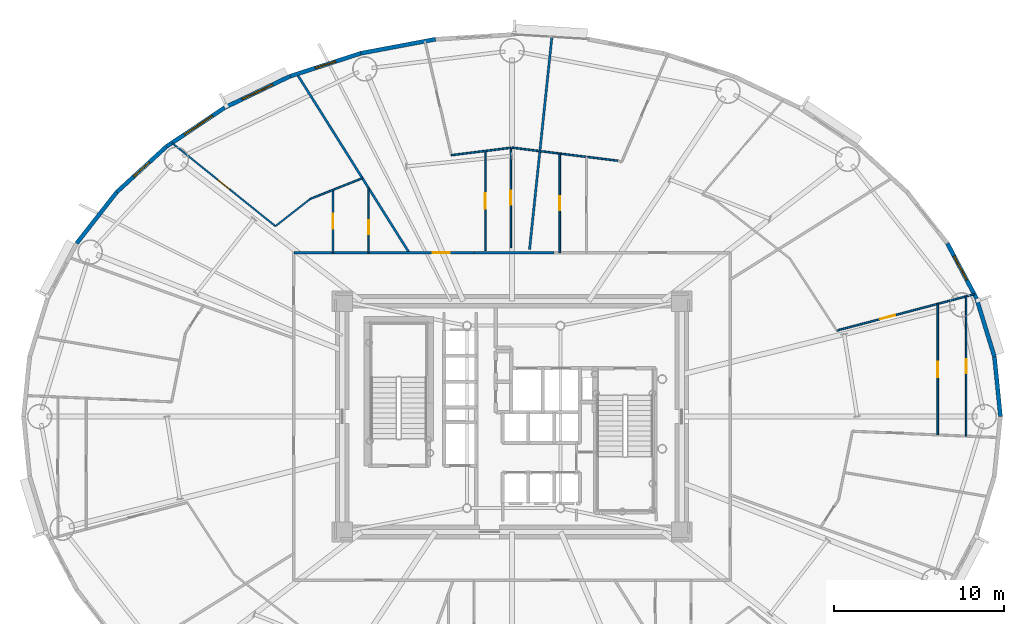
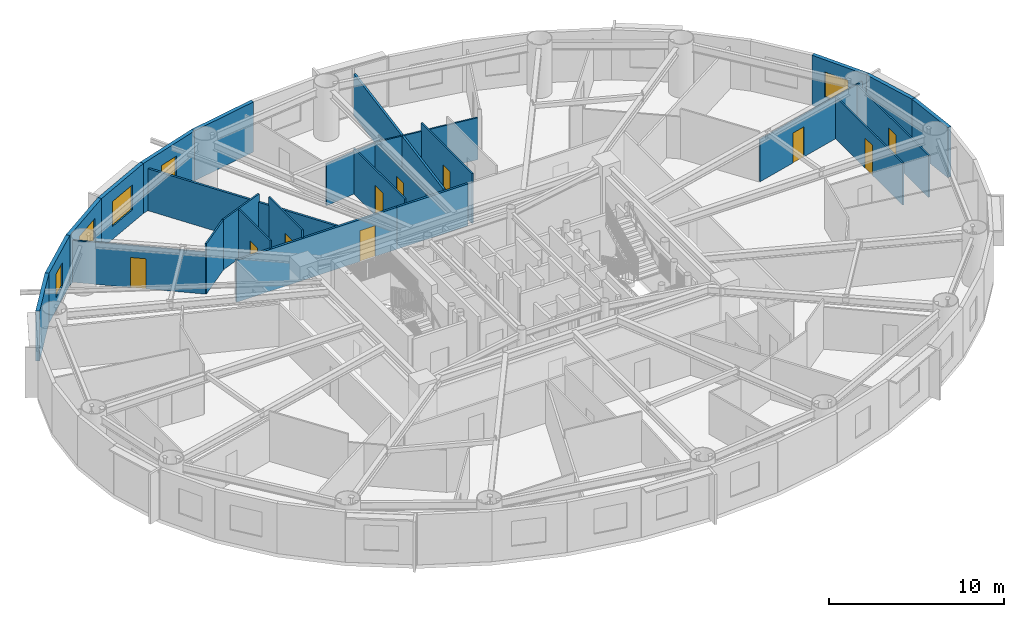
# One storey, part 14 of 21: 26 walls, 10 doors, 5 windows, 15 openings.
"""IFC4 building model written with IfcOpenShell, lengths in metres."""

from ifc_helpers import new_model, si_unit, direction, frame, frame_2d, origin, origin_2d, place, context, subcontext, project, spatial, rectangle, extrude, source, transform, mapped, material, layer, layer_set, type_object, element, fill, save


model = new_model("IFC4")

# Units and contexts
model_context = context("Model", 3, precision=1e-05, world=origin(), true_north=direction((0.0, 1.0)))
body_context = subcontext(model_context, "Body", "Model", "MODEL_VIEW")
ifc_project = project(units=[si_unit("LENGTHUNIT", "METRE"), si_unit("AREAUNIT", "SQUARE_METRE"), si_unit("VOLUMEUNIT", "CUBIC_METRE"), si_unit("PLANEANGLEUNIT", "RADIAN"), si_unit("MASSUNIT", "GRAM", prefix="KILO")], contexts=[model_context])

# Site, building, storey
site_placement = place(None, origin())
site = spatial("IfcSite", under=ifc_project, at=site_placement, CompositionType="ELEMENT")
building_placement = place(site_placement, origin())
building = spatial("IfcBuilding", under=site, at=building_placement, Name="Linh Dai School and Residence Tower", CompositionType="ELEMENT")
storey_placement = place(building_placement, frame((0.0, 0.0, 115.949951171875)))
storey = spatial("IfcBuildingStorey", under=building, at=storey_placement, Name="L27", CompositionType="ELEMENT", Elevation=115.949951171875)

# Walls
ifc_material_1 = material(Name="Precast Concrete B45 (C35/45)", Category="concrete")
ifc_layer_1 = layer(ifc_material_1, 0.239990234375)
ifc_layer_set_1 = layer_set([ifc_layer_1], Name="Precast Concrete B45 (C35/45)")
wall_type_1 = type_object("IfcWallType", Name="EW-TC-240", PredefinedType="SOLIDWALL", material=ifc_layer_set_1)
wall_1_placement = place(storey_placement, frame((64.421630859375, 30.515380859375, 0.0), z_axis=(0.0, 0.0, 1.0), x_axis=(0.099989468229, -0.994988495533, 0.0)))
element("IfcWall", 1, at=wall_1_placement, inside=storey, type_object=wall_type_1, Name="L27 Terracotta Exterior Wall 01", PredefinedType="SOLIDWALL", context=body_context, shape_type="SweptSolid", body=[
    extrude(rectangle(XDim=3.533203125, YDim=0.239990234375, at=frame_2d((1.7666015625, 0.0))), origin(), (0.0, 0.0, 1.0), 3.5),
])
wall_2_placement = place(storey_placement, frame((63.3701171875, 33.945068359375, 0.0), z_axis=(0.0, 0.0, 1.0), x_axis=(0.293124431344, -0.956074300329, 0.0)))
element("IfcWall", 2, at=wall_2_placement, inside=storey, type_object=wall_type_1, Name="L27 Terracotta Exterior Wall 02", PredefinedType="SOLIDWALL", context=body_context, shape_type="SweptSolid", body=[
    extrude(rectangle(XDim=3.587158203125, YDim=0.239990234375, at=frame_2d((1.79345703125, 0.0))), origin(), (0.0, 0.0, 1.0), 3.5),
])

# Wall, opening, window
wall_3_placement = place(storey_placement, frame((61.645263671875, 37.20556640625, 0.0), z_axis=(0.0, 0.0, 1.0), x_axis=(0.467614004126, -0.883932770716, 0.0)))
wall_3 = element("IfcWall", 3, at=wall_3_placement, inside=storey, type_object=wall_type_1, Name="L27 Terracotta Exterior Wall 03", PredefinedType="SOLIDWALL", context=body_context, shape_type="SweptSolid", body=[
    extrude(rectangle(XDim=3.688720703125, YDim=0.239990234375, at=frame_2d((1.84423828125, 0.0))), origin(), (0.0, 0.0, 1.0), 3.5),
])
opening_1_placement = place(wall_3_placement, frame((0.845947265625, 0.0, 0.89990234375)))
opening_1 = element("IfcOpeningElement", 4, at=opening_1_placement, cuts=wall_3, Name="Opening W2", PredefinedType="OPENING", context=body_context, shape_type="SweptSolid", body=[
    extrude(rectangle(XDim=1.60009765625, YDim=1.75, at=origin_2d()), frame((0.800048828125, 0.1298828125, 0.875), z_axis=(0.0, -1.0, 0.0), x_axis=(1.0, 0.0, 0.0)), (0.0, 0.0, 1.0), 0.260009765625),
])
ifc_material_2 = material(Name="Double Low-E Insulated Glazing", Category="glass")
window_type_1 = type_object("IfcWindowType", Name="WN-RES-1600x1750", PartitioningType="DOUBLE_PANEL_VERTICAL", PredefinedType="WINDOW", material=ifc_material_2)
shared_shape_1 = source(origin(), body_context, "Body", "SweptSolid", [
    extrude(rectangle(XDim=1.60009765625, YDim=1.75, at=origin_2d()), frame((0.800048828125, 0.030029296875, 0.875), z_axis=(0.0, -1.0, 0.0), x_axis=(1.0, 0.0, 0.0)), (0.0, 0.0, 1.0), 0.06005859375),
])
window_1_placement = place(opening_1_placement, origin())
window_1 = element("IfcWindow", 5, at=window_1_placement, inside=storey, type_object=window_type_1, Name="L27 Exterior Window 03.1", OverallHeight=1.75, OverallWidth=1.60009765625, PartitioningType="DOUBLE_PANEL_VERTICAL", PredefinedType="WINDOW", context=body_context, shape_type="MappedRepresentation", body=[
    mapped(shared_shape_1, transform((0.0, 0.0, 0.0), x_axis=(1.0, 0.0, 0.0), y_axis=(0.0, 1.0, 0.0), z_axis=(0.0, 0.0, 1.0), scale=1.0)),
])
fill(opening_1, window_1)

# Wall
wall_4_placement = place(storey_placement, frame((27.100341796875, 48.4013671875, 0.0), z_axis=(0.0, 0.0, 1.0), x_axis=(0.982789252177, 0.184730305596, 0.0)))
element("IfcWall", 6, at=wall_4_placement, inside=storey, type_object=wall_type_1, Name="L27 Terracotta Exterior Wall 12", PredefinedType="SOLIDWALL", context=body_context, shape_type="SweptSolid", body=[
    extrude(rectangle(XDim=4.470947265625, YDim=0.239990234375, at=frame_2d((2.2353515625, 0.0))), origin(), (0.0, 0.0, 1.0), 3.5),
])

# Wall, opening, window
wall_5_placement = place(storey_placement, frame((22.926025390625, 47.04736328125, 0.0), z_axis=(0.0, 0.0, 1.0), x_axis=(0.951211346073, 0.308540070495, 0.0)))
wall_5 = element("IfcWall", 7, at=wall_5_placement, inside=storey, type_object=wall_type_1, Name="L27 Terracotta Exterior Wall 13", PredefinedType="SOLIDWALL", context=body_context, shape_type="SweptSolid", body=[
    extrude(rectangle(XDim=4.388427734375, YDim=0.239990234375, at=frame_2d((2.1943359375, 0.0))), origin(), (0.0, 0.0, 1.0), 3.5),
])
opening_2_placement = place(wall_5_placement, frame((1.569091796875, 0.0, 0.89990234375)))
opening_2 = element("IfcOpeningElement", 8, at=opening_2_placement, cuts=wall_5, Name="Opening W3", PredefinedType="OPENING", context=body_context, shape_type="SweptSolid", body=[
    extrude(rectangle(XDim=1.25, YDim=1.64990234375, at=origin_2d()), frame((0.625, 0.1298828125, 0.824951171875), z_axis=(0.0, -1.0, 0.0), x_axis=(1.0, 0.0, 0.0)), (0.0, 0.0, 1.0), 0.260009765625),
])
window_type_2 = type_object("IfcWindowType", Name="WN-RES-1250x1650", PartitioningType="SINGLE_PANEL", PredefinedType="WINDOW", material=ifc_material_2)
shared_shape_2 = source(origin(), body_context, "Body", "SweptSolid", [
    extrude(rectangle(XDim=1.25, YDim=1.64990234375, at=origin_2d()), frame((0.625, 0.030029296875, 0.824951171875), z_axis=(0.0, -1.0, 0.0), x_axis=(1.0, 0.0, 0.0)), (0.0, 0.0, 1.0), 0.06005859375),
])
window_2_placement = place(opening_2_placement, origin())
window_2 = element("IfcWindow", 9, at=window_2_placement, inside=storey, type_object=window_type_2, Name="L27 Dwelling Window U2701-LIV", OverallHeight=1.64990234375, OverallWidth=1.25, PartitioningType="SINGLE_PANEL", PredefinedType="WINDOW", context=body_context, shape_type="MappedRepresentation", body=[
    mapped(shared_shape_2, transform((0.0, 0.0, 0.0), x_axis=(1.0, 0.0, 0.0), y_axis=(0.0, 1.0, 0.0), z_axis=(0.0, 0.0, 1.0), scale=1.0)),
])
fill(opening_2, window_2)

wall_6_placement = place(storey_placement, frame((19.07470703125, 45.199462890625, 0.0), z_axis=(0.0, 0.0, 1.0), x_axis=(0.901589935876, 0.432591709962, 0.0)))
wall_6 = element("IfcWall", 10, at=wall_6_placement, inside=storey, type_object=wall_type_1, Name="L27 Terracotta Exterior Wall 14", PredefinedType="SOLIDWALL", context=body_context, shape_type="SweptSolid", body=[
    extrude(rectangle(XDim=4.271728515625, YDim=0.239990234375, at=frame_2d((2.1357421875, 0.0))), origin(), (0.0, 0.0, 1.0), 3.5),
])
opening_3_placement = place(wall_6_placement, frame((1.135986328125, 0.0, 0.89990234375)))
opening_3 = element("IfcOpeningElement", 11, at=opening_3_placement, cuts=wall_6, Name="Opening W1", PredefinedType="OPENING", context=body_context, shape_type="SweptSolid", body=[
    extrude(rectangle(XDim=2.0, YDim=1.75, at=origin_2d()), frame((1.0, 0.1298828125, 0.875), z_axis=(0.0, -1.0, 0.0), x_axis=(1.0, 0.0, 0.0)), (0.0, 0.0, 1.0), 0.260009765625),
])
window_type_3 = type_object("IfcWindowType", Name="WN-RES-2000x1750", PartitioningType="DOUBLE_PANEL_VERTICAL", PredefinedType="WINDOW", material=ifc_material_2)
shared_shape_3 = source(origin(), body_context, "Body", "SweptSolid", [
    extrude(rectangle(XDim=2.0, YDim=1.75, at=origin_2d()), frame((1.0, 0.030029296875, 0.875), z_axis=(0.0, -1.0, 0.0), x_axis=(1.0, 0.0, 0.0)), (0.0, 0.0, 1.0), 0.06005859375),
])
window_3_placement = place(opening_3_placement, origin())
window_3 = element("IfcWindow", 12, at=window_3_placement, inside=storey, type_object=window_type_3, Name="L27 Exterior Window 14.1", OverallHeight=1.75, OverallWidth=2.0, PartitioningType="DOUBLE_PANEL_VERTICAL", PredefinedType="WINDOW", context=body_context, shape_type="MappedRepresentation", body=[
    mapped(shared_shape_3, transform((0.0, 0.0, 0.0), x_axis=(1.0, 0.0, 0.0), y_axis=(0.0, 1.0, 0.0), z_axis=(0.0, 0.0, 1.0), scale=1.0)),
])
fill(opening_3, window_3)

wall_7_placement = place(storey_placement, frame((15.6416015625, 42.9033203125, 0.0), z_axis=(0.0, 0.0, 1.0), x_axis=(0.831221811447, 0.555940914284, 0.0)))
wall_7 = element("IfcWall", 13, at=wall_7_placement, inside=storey, type_object=wall_type_1, Name="L27 Terracotta Exterior Wall 15", PredefinedType="SOLIDWALL", context=body_context, shape_type="SweptSolid", body=[
    extrude(rectangle(XDim=4.130126953125, YDim=0.239990234375, at=frame_2d((2.06494140625, 0.0))), origin(), (0.0, 0.0, 1.0), 3.5),
])
opening_4_placement = place(wall_7_placement, frame((1.275634765625, 0.0, 0.89990234375)))
opening_4 = element("IfcOpeningElement", 14, at=opening_4_placement, cuts=wall_7, Name="Opening W1", PredefinedType="OPENING", context=body_context, shape_type="SweptSolid", body=[
    extrude(rectangle(XDim=2.0, YDim=1.75, at=origin_2d()), frame((1.0, 0.1298828125, 0.875), z_axis=(0.0, -1.0, 0.0), x_axis=(1.0, 0.0, 0.0)), (0.0, 0.0, 1.0), 0.260009765625),
])
window_4_placement = place(opening_4_placement, origin())
window_4 = element("IfcWindow", 15, at=window_4_placement, inside=storey, type_object=window_type_3, Name="L27 Exterior Window 15.1", OverallHeight=1.75, OverallWidth=2.0, PartitioningType="DOUBLE_PANEL_VERTICAL", PredefinedType="WINDOW", context=body_context, shape_type="MappedRepresentation", body=[
    mapped(shared_shape_3, transform((0.0, 0.0, 0.0), x_axis=(1.0, 0.0, 0.0), y_axis=(0.0, 1.0, 0.0), z_axis=(0.0, 0.0, 1.0), scale=1.0)),
])
fill(opening_4, window_4)

wall_8_placement = place(storey_placement, frame((12.7109375, 40.216552734375, 0.0), z_axis=(0.0, 0.0, 1.0), x_axis=(0.737113356241, 0.675769117414, 0.0)))
wall_8 = element("IfcWall", 16, at=wall_8_placement, inside=storey, type_object=wall_type_1, Name="L27 Terracotta Exterior Wall 16", PredefinedType="SOLIDWALL", context=body_context, shape_type="SweptSolid", body=[
    extrude(rectangle(XDim=3.975830078125, YDim=0.239990234375, at=frame_2d((1.98779296875, 0.0))), origin(), (0.0, 0.0, 1.0), 3.5),
])
opening_5_placement = place(wall_8_placement, frame((1.363037109375, 0.0, 0.89990234375)))
opening_5 = element("IfcOpeningElement", 17, at=opening_5_placement, cuts=wall_8, Name="Opening W3", PredefinedType="OPENING", context=body_context, shape_type="SweptSolid", body=[
    extrude(rectangle(XDim=1.25, YDim=1.64990234375, at=origin_2d()), frame((0.625, 0.1298828125, 0.824951171875), z_axis=(0.0, -1.0, 0.0), x_axis=(1.0, 0.0, 0.0)), (0.0, 0.0, 1.0), 0.260009765625),
])
window_5_placement = place(opening_5_placement, origin())
window_5 = element("IfcWindow", 18, at=window_5_placement, inside=storey, type_object=window_type_2, Name="L27 Dwelling Window U2702-LIV", OverallHeight=1.64990234375, OverallWidth=1.25, PartitioningType="SINGLE_PANEL", PredefinedType="WINDOW", context=body_context, shape_type="MappedRepresentation", body=[
    mapped(shared_shape_2, transform((0.0, 0.0, 0.0), x_axis=(1.0, 0.0, 0.0), y_axis=(0.0, 1.0, 0.0), z_axis=(0.0, 0.0, 1.0), scale=1.0)),
])
fill(opening_5, window_5)

# Wall
wall_9_placement = place(storey_placement, frame((10.354736328125, 37.20556640625, 0.0), z_axis=(0.0, 0.0, 1.0), x_axis=(0.616272103517, 0.787533297345, 0.0)))
element("IfcWall", 19, at=wall_9_placement, inside=storey, type_object=wall_type_1, Name="L27 Terracotta Exterior Wall 17", PredefinedType="SOLIDWALL", context=body_context, shape_type="SweptSolid", body=[
    extrude(rectangle(XDim=3.8232421875, YDim=0.239990234375, at=frame_2d((1.91162109375, 0.0))), origin(), (0.0, 0.0, 1.0), 3.5),
])

# Wall, opening, door
ifc_material_3 = material(Name="Autoclaved Aerated Concrete Blockwork", Category="masonry")
ifc_layer_2 = layer(ifc_material_3, 0.135009765625)
ifc_layer_set_2 = layer_set([ifc_layer_2], Name="Autoclaved Aerated Concrete Blockwork")
wall_type_2 = type_object("IfcWallType", Name="IW-CORR-135-EI90", PredefinedType="PARTITIONING", material=ifc_layer_set_2)
wall_10_placement = place(storey_placement, frame((23.14990234375, 36.64990234375, 0.0), z_axis=(0.0, 0.0, 1.0), x_axis=(1.0, 0.0, 0.0)))
wall_10 = element("IfcWall", 20, at=wall_10_placement, inside=storey, type_object=wall_type_2, Name="L27 Interior Partition Wall 019", PredefinedType="PARTITIONING", context=body_context, shape_type="SweptSolid", body=[
    extrude(rectangle(XDim=10.61181640625, YDim=0.135009765625, at=frame_2d((5.305908203125, 0.0))), origin(), (0.0, 0.0, 1.0), 2.93505859375),
])
opening_6_placement = place(wall_10_placement, frame((8.18212890625, 0.0, 0.0)))
opening_6 = element("IfcOpeningElement", 21, at=opening_6_placement, cuts=wall_10, Name="Opening D03", PredefinedType="OPENING", context=body_context, shape_type="SweptSolid", body=[
    extrude(rectangle(XDim=1.0, YDim=2.14990234375, at=origin_2d()), frame((0.5, 0.07763671875, 1.074951171875), z_axis=(0.0, -1.0, 0.0), x_axis=(1.0, 0.0, 0.0)), (0.0, 0.0, 1.0), 0.155029296875),
])
ifc_material_4 = material(Name="Fire-Rated Solid Timber Entrance Door", Category="wood")
door_type_1 = type_object("IfcDoorType", Name="DR-FLAT-1000x2150-FD60S", OperationType="NOTDEFINED", PredefinedType="DOOR", material=ifc_material_4)
shared_shape_4 = source(origin(), body_context, "Body", "SweptSolid", [
    extrude(rectangle(XDim=1.0, YDim=2.14990234375, at=origin_2d()), frame((0.5, 0.02490234375, 1.074951171875), z_axis=(0.0, -1.0, 0.0), x_axis=(1.0, 0.0, 0.0)), (0.0, 0.0, 1.0), 0.050048828125),
])
door_1_placement = place(opening_6_placement, origin())
door_1 = element("IfcDoor", 22, at=door_1_placement, inside=storey, type_object=door_type_1, Name="L27 U2701 Apartment Entrance Door", OperationType="SINGLE_SWING_RIGHT", OverallHeight=2.14990234375, OverallWidth=1.0, PredefinedType="DOOR", context=body_context, shape_type="MappedRepresentation", body=[
    mapped(shared_shape_4, transform((0.0, 0.0, 0.0), x_axis=(1.0, 0.0, 0.0), y_axis=(0.0, 1.0, 0.0), z_axis=(0.0, 0.0, 1.0), scale=1.0)),
])
fill(opening_6, door_1)

# Walls
wall_11_placement = place(storey_placement, frame((23.330078125, 47.18359375, 0.0), z_axis=(0.0, 0.0, 1.0), x_axis=(0.531660079213, -0.846957826678, 0.0)))
element("IfcWall", 23, at=wall_11_placement, inside=storey, type_object=wall_type_2, Name="L27 Interior Partition Wall 020", PredefinedType="PARTITIONING", context=body_context, shape_type="SweptSolid", body=[
    extrude(rectangle(XDim=12.43701171875, YDim=0.135009765625, at=frame_2d((6.218505859375, 0.0))), origin(), (0.0, 0.0, 1.0), 2.93505859375),
])
wall_12_placement = place(storey_placement, frame((37.032958984375, 36.8291015625, 0.0), z_axis=(0.0, 0.0, 1.0), x_axis=(0.104530526966, 0.994521678463, 0.0)))
element("IfcWall", 24, at=wall_12_placement, inside=storey, type_object=wall_type_2, Name="L27 Interior Partition Wall 059", PredefinedType="PARTITIONING", context=body_context, shape_type="SweptSolid", body=[
    extrude(rectangle(XDim=12.605224609375, YDim=0.135009765625, at=frame_2d((6.302734375, 0.0))), origin(), (0.0, 0.0, 1.0), 2.93505859375),
])
wall_13_placement = place(storey_placement, frame((33.771728515625, 36.64990234375, 0.0), z_axis=(0.0, 0.0, 1.0), x_axis=(1.0, 0.0, 0.0)))
element("IfcWall", 25, at=wall_13_placement, inside=storey, type_object=wall_type_2, Name="L27 Interior Partition Wall 109", PredefinedType="PARTITIONING", context=body_context, shape_type="SweptSolid", body=[
    extrude(rectangle(XDim=4.6953125, YDim=0.135009765625, at=frame_2d((2.34765625, 0.0))), origin(), (0.0, 0.0, 1.0), 2.93505859375),
])

# Wall, opening, door
ifc_material_5 = material(Name="Gypsum Plasterboard Acoustic Stud Partition", Category="masonry")
ifc_layer_3 = layer(ifc_material_5, 0.10009765625)
ifc_layer_set_3 = layer_set([ifc_layer_3], Name="Gypsum Plasterboard Acoustic Stud Partition")
wall_type_3 = type_object("IfcWallType", Name="IW-UNIT-100", PredefinedType="PARTITIONING", material=ifc_layer_set_3)
wall_14_placement = place(storey_placement, frame((15.962646484375, 43.1240234375, 0.0), z_axis=(0.0, 0.0, 1.0), x_axis=(0.779083359145, -0.626920345421, 0.0)))
wall_14 = element("IfcWall", 26, at=wall_14_placement, inside=storey, type_object=wall_type_3, Name="L27 Interior Partition Wall 009", PredefinedType="PARTITIONING", context=body_context, shape_type="SweptSolid", body=[
    extrude(rectangle(XDim=7.831298828125, YDim=0.10009765625, at=frame_2d((3.91552734375, 0.0))), origin(), (0.0, 0.0, 1.0), 2.93505859375),
])
opening_7_placement = place(wall_14_placement, frame((3.4658203125, 0.0, 0.0)))
opening_7 = element("IfcOpeningElement", 27, at=opening_7_placement, cuts=wall_14, Name="Opening D05", PredefinedType="OPENING", context=body_context, shape_type="SweptSolid", body=[
    extrude(rectangle(XDim=0.89990234375, YDim=2.10009765625, at=origin_2d()), frame((0.449951171875, 0.06005859375, 1.050048828125), z_axis=(0.0, -1.0, 0.0), x_axis=(1.0, 0.0, 0.0)), (0.0, 0.0, 1.0), 0.1201171875),
])
ifc_material_6 = material(Name="Engineered Timber Internal Door", Category="wood")
door_type_2 = type_object("IfcDoorType", Name="DR-INT-900x2100", OperationType="NOTDEFINED", PredefinedType="DOOR", material=ifc_material_6)
shared_shape_5 = source(origin(), body_context, "Body", "SweptSolid", [
    extrude(rectangle(XDim=0.89990234375, YDim=2.10009765625, at=origin_2d()), frame((0.449951171875, 0.02490234375, 1.050048828125), z_axis=(0.0, -1.0, 0.0), x_axis=(1.0, 0.0, 0.0)), (0.0, 0.0, 1.0), 0.050048828125),
])
door_2_placement = place(opening_7_placement, origin())
door_2 = element("IfcDoor", 28, at=door_2_placement, inside=storey, type_object=door_type_2, Name="L27 Apartment U2702 Principal Bedroom 1 Door", OperationType="SINGLE_SWING_LEFT", OverallHeight=2.10009765625, OverallWidth=0.89990234375, PredefinedType="DOOR", context=body_context, shape_type="MappedRepresentation", body=[
    mapped(shared_shape_5, transform((0.0, 0.0, 0.0), x_axis=(1.0, 0.0, 0.0), y_axis=(0.0, 1.0, 0.0), z_axis=(0.0, 0.0, 1.0), scale=1.0)),
])
fill(opening_7, door_2)

# Walls
wall_15_placement = place(storey_placement, frame((22.06396484375, 38.21435546875, 0.0), z_axis=(0.0, 0.0, 1.0), x_axis=(0.787364158956, 0.616488184146, 0.0)))
element("IfcWall", 29, at=wall_15_placement, inside=storey, type_object=wall_type_3, Name="L27 Interior Partition Wall 015", PredefinedType="PARTITIONING", context=body_context, shape_type="SweptSolid", body=[
    extrude(rectangle(XDim=2.597412109375, YDim=0.10009765625, at=frame_2d((1.298828125, 0.0))), origin(), (0.0, 0.0, 1.0), 3.5),
])
wall_16_placement = place(storey_placement, frame((24.109130859375, 39.815673828125, 0.0), z_axis=(0.0, 0.0, 1.0), x_axis=(0.928811896505, 0.370551563092, 0.0)))
element("IfcWall", 30, at=wall_16_placement, inside=storey, type_object=wall_type_3, Name="L27 Interior Partition Wall 022", PredefinedType="PARTITIONING", context=body_context, shape_type="SweptSolid", body=[
    extrude(rectangle(XDim=3.3115234375, YDim=0.10009765625, at=frame_2d((1.65576171875, 0.0))), origin(), (0.0, 0.0, 1.0), 3.5),
])

# Wall, opening, door
wall_17_placement = place(storey_placement, frame((25.45068359375, 36.64990234375, 0.0), z_axis=(0.0, 0.0, 1.0), x_axis=(0.0, 1.0, 0.0)))
wall_17 = element("IfcWall", 31, at=wall_17_placement, inside=storey, type_object=wall_type_3, Name="L27 Interior Partition Wall 023", PredefinedType="PARTITIONING", context=body_context, shape_type="SweptSolid", body=[
    extrude(rectangle(XDim=3.700927734375, YDim=0.10009765625, at=frame_2d((1.8505859375, 0.0))), origin(), (0.0, 0.0, 1.0), 3.5),
])
opening_8_placement = place(wall_17_placement, frame((1.400390625, 0.0, 0.0)))
opening_8 = element("IfcOpeningElement", 32, at=opening_8_placement, cuts=wall_17, Name="Opening D05", PredefinedType="OPENING", context=body_context, shape_type="SweptSolid", body=[
    extrude(rectangle(XDim=0.89990234375, YDim=2.10009765625, at=origin_2d()), frame((0.449951171875, 0.06005859375, 1.050048828125), z_axis=(0.0, -1.0, 0.0), x_axis=(1.0, 0.0, 0.0)), (0.0, 0.0, 1.0), 0.1201171875),
])
door_3_placement = place(opening_8_placement, origin())
door_3 = element("IfcDoor", 33, at=door_3_placement, inside=storey, type_object=door_type_2, Name="L27 Apartment U2702 Kitchen Door", OperationType="SINGLE_SWING_RIGHT", OverallHeight=2.10009765625, OverallWidth=0.89990234375, PredefinedType="DOOR", context=body_context, shape_type="MappedRepresentation", body=[
    mapped(shared_shape_5, transform((0.0, 0.0, 0.0), x_axis=(1.0, 0.0, 0.0), y_axis=(0.0, 1.0, 0.0), z_axis=(0.0, 0.0, 1.0), scale=1.0)),
])
fill(opening_8, door_3)

wall_18_placement = place(storey_placement, frame((27.55322265625, 36.64990234375, 0.0), z_axis=(0.0, 0.0, 1.0), x_axis=(0.0, 1.0, 0.0)))
wall_18 = element("IfcWall", 34, at=wall_18_placement, inside=storey, type_object=wall_type_3, Name="L27 Interior Partition Wall 024", PredefinedType="PARTITIONING", context=body_context, shape_type="SweptSolid", body=[
    extrude(rectangle(XDim=3.80615234375, YDim=0.10009765625, at=frame_2d((1.903076171875, 0.0))), origin(), (0.0, 0.0, 1.0), 3.5),
])
opening_9_placement = place(wall_18_placement, frame((1.0810546875, 0.0, 0.0)))
opening_9 = element("IfcOpeningElement", 35, at=opening_9_placement, cuts=wall_18, Name="Opening D06", PredefinedType="OPENING", context=body_context, shape_type="SweptSolid", body=[
    extrude(rectangle(XDim=0.820068359375, YDim=2.10009765625, at=origin_2d()), frame((0.41015625, 0.06005859375, 1.050048828125), z_axis=(0.0, -1.0, 0.0), x_axis=(1.0, 0.0, 0.0)), (0.0, 0.0, 1.0), 0.1201171875),
])
ifc_material_7 = material(Name="Moisture-Resistant Timber Bathroom Door", Category="wood")
door_type_3 = type_object("IfcDoorType", Name="DR-WET-820x2100", OperationType="NOTDEFINED", PredefinedType="DOOR", material=ifc_material_7)
shared_shape_6 = source(origin(), body_context, "Body", "SweptSolid", [
    extrude(rectangle(XDim=0.820068359375, YDim=2.10009765625, at=origin_2d()), frame((0.41015625, 0.02490234375, 1.050048828125), z_axis=(0.0, -1.0, 0.0), x_axis=(1.0, 0.0, 0.0)), (0.0, 0.0, 1.0), 0.050048828125),
])
door_4_placement = place(opening_9_placement, origin())
door_4 = element("IfcDoor", 36, at=door_4_placement, inside=storey, type_object=door_type_3, Name="L27 Apartment U2702 Bathroom 1 Door", OperationType="SINGLE_SWING_LEFT", OverallHeight=2.10009765625, OverallWidth=0.820068359375, PredefinedType="DOOR", context=body_context, shape_type="MappedRepresentation", body=[
    mapped(shared_shape_6, transform((0.0, 0.0, 0.0), x_axis=(1.0, 0.0, 0.0), y_axis=(0.0, 1.0, 0.0), z_axis=(0.0, 0.0, 1.0), scale=1.0)),
])
fill(opening_9, door_4)

# Wall
wall_19_placement = place(storey_placement, frame((32.428466796875, 42.39794921875, 0.0), z_axis=(0.0, 0.0, 1.0), x_axis=(0.992389102891, 0.123141660146, 0.0)))
element("IfcWall", 37, at=wall_19_placement, inside=storey, type_object=wall_type_3, Name="L27 Interior Partition Wall 037", PredefinedType="PARTITIONING", context=body_context, shape_type="SweptSolid", body=[
    extrude(rectangle(XDim=3.532958984375, YDim=0.10009765625, at=frame_2d((1.7666015625, 0.0))), origin(), (0.0, 0.0, 1.0), 2.93505859375),
])

# Wall, opening, door
wall_20_placement = place(storey_placement, frame((34.430419921875, 36.762451171875, 0.0), z_axis=(0.0, 0.0, 1.0), x_axis=(0.0, 1.0, 0.0)))
wall_20 = element("IfcWall", 38, at=wall_20_placement, inside=storey, type_object=wall_type_3, Name="L27 Interior Partition Wall 040", PredefinedType="PARTITIONING", context=body_context, shape_type="SweptSolid", body=[
    extrude(rectangle(XDim=5.8837890625, YDim=0.10009765625, at=frame_2d((2.94189453125, 0.0))), origin(), (0.0, 0.0, 1.0), 3.18505859375),
])
opening_10_placement = place(wall_20_placement, frame((2.491943359375, 0.0, 0.0)))
opening_10 = element("IfcOpeningElement", 39, at=opening_10_placement, cuts=wall_20, Name="Opening D05", PredefinedType="OPENING", context=body_context, shape_type="SweptSolid", body=[
    extrude(rectangle(XDim=0.89990234375, YDim=2.10009765625, at=origin_2d()), frame((0.449951171875, 0.06005859375, 1.050048828125), z_axis=(0.0, -1.0, 0.0), x_axis=(1.0, 0.0, 0.0)), (0.0, 0.0, 1.0), 0.1201171875),
])
door_5_placement = place(opening_10_placement, origin())
door_5 = element("IfcDoor", 40, at=door_5_placement, inside=storey, type_object=door_type_2, Name="L27 Apartment U2701 Kitchen Door", OperationType="SINGLE_SWING_RIGHT", OverallHeight=2.10009765625, OverallWidth=0.89990234375, PredefinedType="DOOR", context=body_context, shape_type="MappedRepresentation", body=[
    mapped(shared_shape_5, transform((0.0, 0.0, 0.0), x_axis=(1.0, 0.0, 0.0), y_axis=(0.0, 1.0, 0.0), z_axis=(0.0, 0.0, 1.0), scale=1.0)),
])
fill(opening_10, door_5)

wall_21_placement = place(storey_placement, frame((35.9345703125, 36.948974609375, 0.0), z_axis=(0.0, 0.0, 1.0), x_axis=(0.0, 1.0, 0.0)))
wall_21 = element("IfcWall", 41, at=wall_21_placement, inside=storey, type_object=wall_type_3, Name="L27 Interior Partition Wall 053", PredefinedType="PARTITIONING", context=body_context, shape_type="SweptSolid", body=[
    extrude(rectangle(XDim=5.8837890625, YDim=0.10009765625, at=frame_2d((2.94189453125, 0.0))), origin(), (0.0, 0.0, 1.0), 2.93505859375),
])
opening_11_placement = place(wall_21_placement, frame((2.531982421875, 0.0, 0.0)))
opening_11 = element("IfcOpeningElement", 42, at=opening_11_placement, cuts=wall_21, Name="Opening D06", PredefinedType="OPENING", context=body_context, shape_type="SweptSolid", body=[
    extrude(rectangle(XDim=0.820068359375, YDim=2.10009765625, at=origin_2d()), frame((0.41015625, 0.06005859375, 1.050048828125), z_axis=(0.0, -1.0, 0.0), x_axis=(1.0, 0.0, 0.0)), (0.0, 0.0, 1.0), 0.1201171875),
])
door_6_placement = place(opening_11_placement, origin())
door_6 = element("IfcDoor", 43, at=door_6_placement, inside=storey, type_object=door_type_3, Name="L27 Apartment U2701 Bathroom 1 Door", OperationType="SINGLE_SWING_LEFT", OverallHeight=2.10009765625, OverallWidth=0.820068359375, PredefinedType="DOOR", context=body_context, shape_type="MappedRepresentation", body=[
    mapped(shared_shape_6, transform((0.0, 0.0, 0.0), x_axis=(1.0, 0.0, 0.0), y_axis=(0.0, 1.0, 0.0), z_axis=(0.0, 0.0, 1.0), scale=1.0)),
])
fill(opening_11, door_6)

# Wall
wall_22_placement = place(storey_placement, frame((36.0, 42.841064453125, 0.0), z_axis=(0.0, 0.0, 1.0), x_axis=(0.992395485088, -0.123090215599, 0.0)))
element("IfcWall", 44, at=wall_22_placement, inside=storey, type_object=wall_type_3, Name="L27 Interior Partition Wall 056", PredefinedType="PARTITIONING", context=body_context, shape_type="SweptSolid", body=[
    extrude(rectangle(XDim=6.29931640625, YDim=0.10009765625, at=frame_2d((3.149658203125, 0.0))), origin(), (0.0, 0.0, 1.0), 2.93505859375),
])

# Wall, opening, door
wall_23_placement = place(storey_placement, frame((38.816650390625, 36.64990234375, 0.0), z_axis=(0.0, 0.0, 1.0), x_axis=(0.0, 1.0, 0.0)))
wall_23 = element("IfcWall", 45, at=wall_23_placement, inside=storey, type_object=wall_type_3, Name="L27 Interior Partition Wall 064", PredefinedType="PARTITIONING", context=body_context, shape_type="SweptSolid", body=[
    extrude(rectangle(XDim=5.841796875, YDim=0.10009765625, at=frame_2d((2.9208984375, 0.0))), origin(), (0.0, 0.0, 1.0), 3.5),
])
opening_12_placement = place(wall_23_placement, frame((2.5107421875, 0.0, 0.0)))
opening_12 = element("IfcOpeningElement", 46, at=opening_12_placement, cuts=wall_23, Name="Opening D06", PredefinedType="OPENING", context=body_context, shape_type="SweptSolid", body=[
    extrude(rectangle(XDim=0.820068359375, YDim=2.10009765625, at=origin_2d()), frame((0.41015625, 0.06005859375, 1.050048828125), z_axis=(0.0, -1.0, 0.0), x_axis=(1.0, 0.0, 0.0)), (0.0, 0.0, 1.0), 0.1201171875),
])
door_7_placement = place(opening_12_placement, origin())
door_7 = element("IfcDoor", 47, at=door_7_placement, inside=storey, type_object=door_type_3, Name="L27 Apartment U2708 Bathroom 1 Door", OperationType="SINGLE_SWING_LEFT", OverallHeight=2.10009765625, OverallWidth=0.820068359375, PredefinedType="DOOR", context=body_context, shape_type="MappedRepresentation", body=[
    mapped(shared_shape_6, transform((0.0, 0.0, 0.0), x_axis=(1.0, 0.0, 0.0), y_axis=(0.0, 1.0, 0.0), z_axis=(0.0, 0.0, 1.0), scale=1.0)),
])
fill(opening_12, door_7)

wall_24_placement = place(storey_placement, frame((55.130615234375, 32.06298828125, 0.0), z_axis=(0.0, 0.0, 1.0), x_axis=(0.96671793708, 0.255844542893, 0.0)))
wall_24 = element("IfcWall", 48, at=wall_24_placement, inside=storey, type_object=wall_type_3, Name="L27 Interior Partition Wall 093", PredefinedType="PARTITIONING", context=body_context, shape_type="SweptSolid", body=[
    extrude(rectangle(XDim=8.385009765625, YDim=0.10009765625, at=frame_2d((4.1923828125, 0.0))), origin(), (0.0, 0.0, 1.0), 2.93505859375),
])
opening_13_placement = place(wall_24_placement, frame((2.64990234375, 0.0, 0.0)))
opening_13 = element("IfcOpeningElement", 49, at=opening_13_placement, cuts=wall_24, Name="Opening D05", PredefinedType="OPENING", context=body_context, shape_type="SweptSolid", body=[
    extrude(rectangle(XDim=0.89990234375, YDim=2.10009765625, at=origin_2d()), frame((0.449951171875, 0.06005859375, 1.050048828125), z_axis=(0.0, -1.0, 0.0), x_axis=(1.0, 0.0, 0.0)), (0.0, 0.0, 1.0), 0.1201171875),
])
door_8_placement = place(opening_13_placement, origin())
door_8 = element("IfcDoor", 50, at=door_8_placement, inside=storey, type_object=door_type_2, Name="L27 Apartment U2707 Principal Bedroom 2 Door", OperationType="SINGLE_SWING_RIGHT", OverallHeight=2.10009765625, OverallWidth=0.89990234375, PredefinedType="DOOR", context=body_context, shape_type="MappedRepresentation", body=[
    mapped(shared_shape_5, transform((0.0, 0.0, 0.0), x_axis=(1.0, 0.0, 0.0), y_axis=(0.0, 1.0, 0.0), z_axis=(0.0, 0.0, 1.0), scale=1.0)),
])
fill(opening_13, door_8)

wall_25_placement = place(storey_placement, frame((61.08544921875, 25.917724609375, 0.0), z_axis=(0.0, 0.0, 1.0), x_axis=(0.0, 1.0, 0.0)))
wall_25 = element("IfcWall", 51, at=wall_25_placement, inside=storey, type_object=wall_type_3, Name="L27 Interior Partition Wall 097", PredefinedType="PARTITIONING", context=body_context, shape_type="SweptSolid", body=[
    extrude(rectangle(XDim=7.72119140625, YDim=0.10009765625, at=frame_2d((3.860595703125, 0.0))), origin(), (0.0, 0.0, 1.0), 2.93505859375),
])
opening_14_placement = place(wall_25_placement, frame((3.41064453125, 0.0, 0.0)))
opening_14 = element("IfcOpeningElement", 52, at=opening_14_placement, cuts=wall_25, Name="Opening D05", PredefinedType="OPENING", context=body_context, shape_type="SweptSolid", body=[
    extrude(rectangle(XDim=0.89990234375, YDim=2.10009765625, at=origin_2d()), frame((0.449951171875, 0.06005859375, 1.050048828125), z_axis=(0.0, -1.0, 0.0), x_axis=(1.0, 0.0, 0.0)), (0.0, 0.0, 1.0), 0.1201171875),
])
door_9_placement = place(opening_14_placement, origin())
door_9 = element("IfcDoor", 53, at=door_9_placement, inside=storey, type_object=door_type_2, Name="L27 Apartment U2707 Kitchen Door", OperationType="SINGLE_SWING_LEFT", OverallHeight=2.10009765625, OverallWidth=0.89990234375, PredefinedType="DOOR", context=body_context, shape_type="MappedRepresentation", body=[
    mapped(shared_shape_5, transform((0.0, 0.0, 0.0), x_axis=(1.0, 0.0, 0.0), y_axis=(0.0, 1.0, 0.0), z_axis=(0.0, 0.0, 1.0), scale=1.0)),
])
fill(opening_14, door_9)

wall_26_placement = place(storey_placement, frame((62.75390625, 25.845703125, 0.0), z_axis=(0.0, 0.0, 1.0), x_axis=(0.0, 1.0, 0.0)))
wall_26 = element("IfcWall", 54, at=wall_26_placement, inside=storey, type_object=wall_type_3, Name="L27 Interior Partition Wall 098", PredefinedType="PARTITIONING", context=body_context, shape_type="SweptSolid", body=[
    extrude(rectangle(XDim=8.23486328125, YDim=0.10009765625, at=frame_2d((4.117431640625, 0.0))), origin(), (0.0, 0.0, 1.0), 2.93505859375),
])
opening_15_placement = place(wall_26_placement, frame((3.70751953125, 0.0, 0.0)))
opening_15 = element("IfcOpeningElement", 55, at=opening_15_placement, cuts=wall_26, Name="Opening D06", PredefinedType="OPENING", context=body_context, shape_type="SweptSolid", body=[
    extrude(rectangle(XDim=0.820068359375, YDim=2.10009765625, at=origin_2d()), frame((0.41015625, 0.06005859375, 1.050048828125), z_axis=(0.0, -1.0, 0.0), x_axis=(1.0, 0.0, 0.0)), (0.0, 0.0, 1.0), 0.1201171875),
])
door_10_placement = place(opening_15_placement, origin())
door_10 = element("IfcDoor", 56, at=door_10_placement, inside=storey, type_object=door_type_3, Name="L27 Apartment U2707 Bathroom 1 Door", OperationType="SINGLE_SWING_RIGHT", OverallHeight=2.10009765625, OverallWidth=0.820068359375, PredefinedType="DOOR", context=body_context, shape_type="MappedRepresentation", body=[
    mapped(shared_shape_6, transform((0.0, 0.0, 0.0), x_axis=(1.0, 0.0, 0.0), y_axis=(0.0, 1.0, 0.0), z_axis=(0.0, 0.0, 1.0), scale=1.0)),
])
fill(opening_15, door_10)

save(model, "model.ifc")
